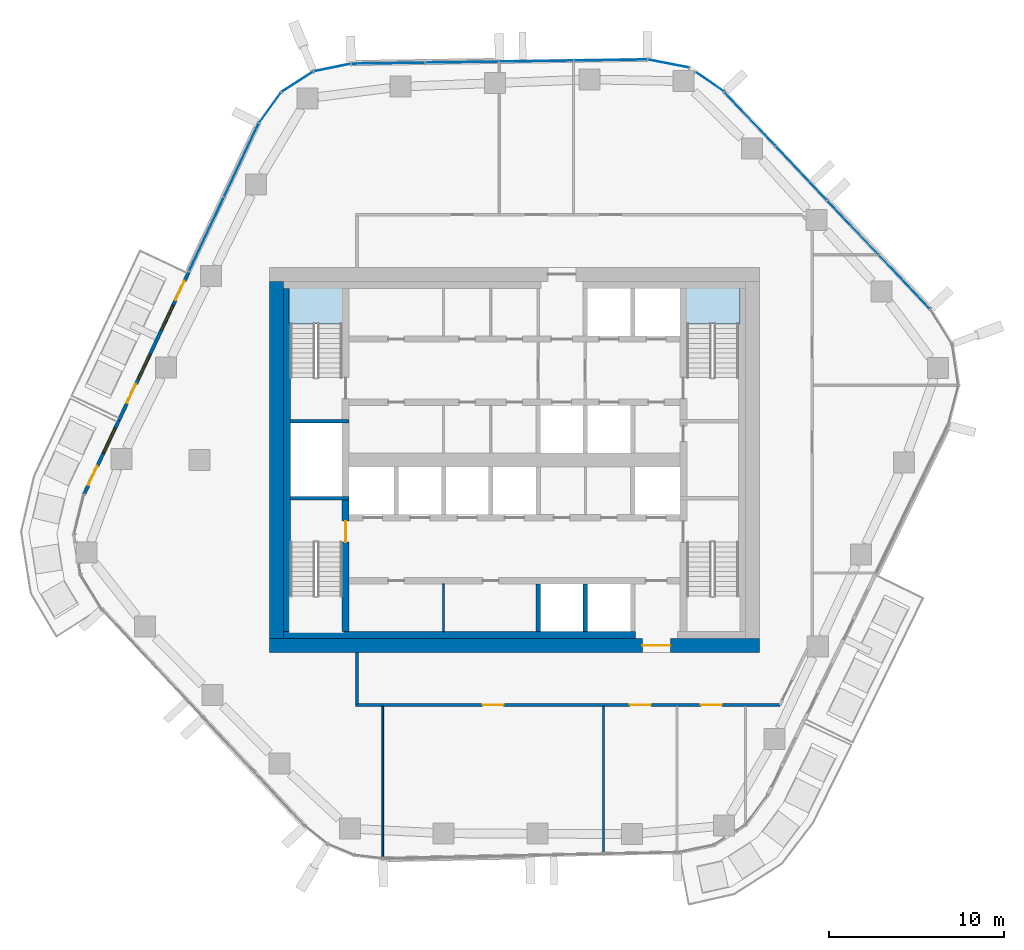
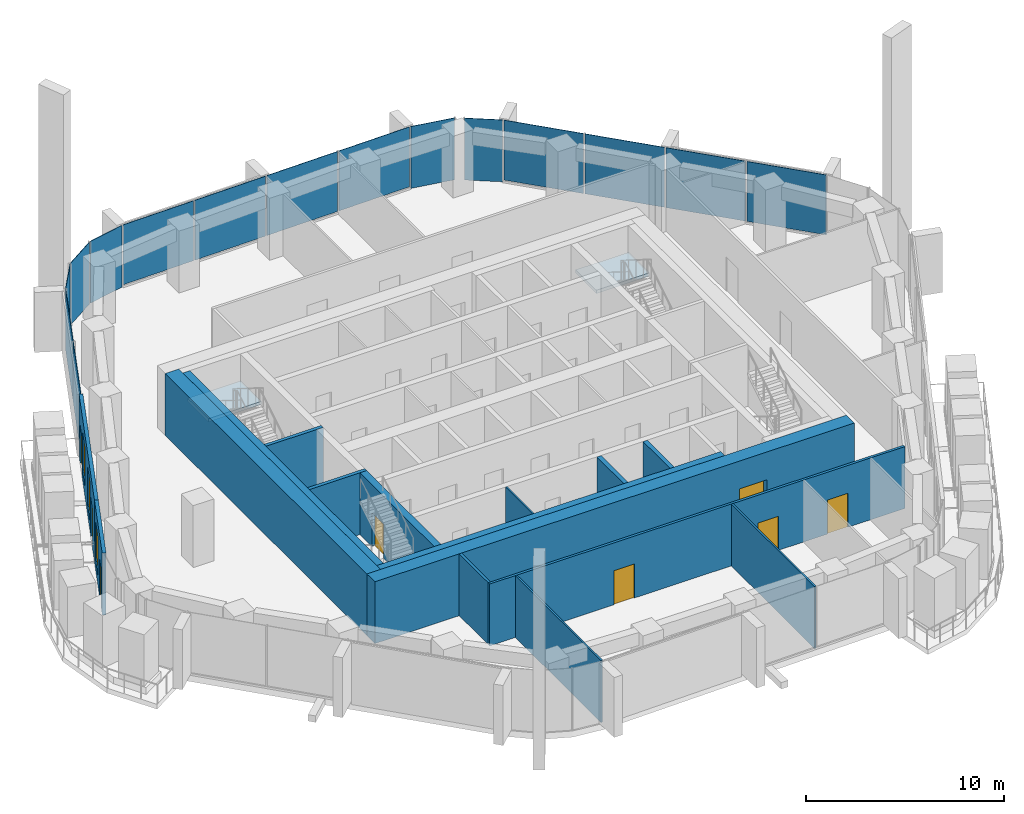
# One storey, part 11 of 18: 16 walls, 15 plates, 8 doors, 3 windows, 2 slabs, 11 openings, 8 elements without a shape of their own.
"""IFC4 building model written with IfcOpenShell, lengths in metres."""

from ifc_helpers import new_model, si_unit, direction, frame, frame_2d, origin, origin_2d, place, context, subcontext, project, spatial, polyline, rectangle, outline, extrude, material, layer, layer_set, type_object, element, fill, aggregate, save


model = new_model("IFC4")

# Units and contexts
model_context = context("Model", 3, precision=1e-05, world=origin(), true_north=direction((0.0, 1.0)))
body_context = subcontext(model_context, "Body", "Model", "MODEL_VIEW")
ifc_project = project(units=[si_unit("LENGTHUNIT", "METRE"), si_unit("AREAUNIT", "SQUARE_METRE"), si_unit("VOLUMEUNIT", "CUBIC_METRE"), si_unit("PLANEANGLEUNIT", "RADIAN"), si_unit("MASSUNIT", "GRAM", prefix="KILO")], contexts=[model_context])

# Site, building, storey
site_placement = place(None, origin())
site = spatial("IfcSite", under=ifc_project, at=site_placement, CompositionType="ELEMENT")
building_placement = place(site_placement, origin())
building = spatial("IfcBuilding", under=site, at=building_placement, Name="Dongbaek Canopy Tower", CompositionType="ELEMENT")
storey_placement = place(building_placement, frame((0.0, 0.0, 158.60009765625)))
storey = spatial("IfcBuildingStorey", under=building, at=storey_placement, Name="L34", CompositionType="ELEMENT", Elevation=158.60009765625)

# Curtain wall, plates
ifc_material_1 = material(Name="Aluminium 6063-T6 pale anodised", Category="aluminium")
ifc_layer_1 = layer(ifc_material_1, 0.199951171875)
ifc_layer_set_1 = layer_set([ifc_layer_1], Name="CW-1 unitised tower curtain wall")
curtain_wall_type = type_object("IfcCurtainWallType", Name="CW-1 unitised tower curtain wall", PredefinedType="NOTDEFINED", material=ifc_layer_set_1)
curtain_wall_1_placement = place(storey_placement, origin())
curtain_wall_1 = element("IfcCurtainWall", 1, at=curtain_wall_1_placement, inside=storey, type_object=curtain_wall_type, Name="CW-1 curtain wall F0.1", PredefinedType="NOTDEFINED")
ifc_material_2 = material(Name="Clear laminated glass", Category="glass")
ifc_layer_2 = layer(ifc_material_2, 0.028076171875)
ifc_layer_set_2 = layer_set([ifc_layer_2], Name="CW-1 glazed panel 28")
plate_type = type_object("IfcPlateType", Name="CW-1 glazed panel 28", PredefinedType="CURTAIN_PANEL", material=ifc_layer_set_2)
plate_1_placement = place(storey_placement, frame((22.27099609375, 10.17724609375, 0.1201171875), z_axis=(0.0, 0.0, 1.0), x_axis=(-0.688042693519, 0.725670208769, 0.0)))
plate_1 = element("IfcPlate", 2, at=plate_1_placement, type_object=plate_type, Name="CW-1 panel F0.1.1.1", PredefinedType="CURTAIN_PANEL", context=body_context, shape_type="SweptSolid", body=[
    extrude(rectangle(XDim=4.180419921875, YDim=0.028076171875, at=origin_2d()), origin(), (0.0, 0.0, 1.0), 3.699951171875),
])
plate_2_placement = place(storey_placement, frame((19.33349609375, 13.275390625, 0.1201171875), z_axis=(0.0, 0.0, 1.0), x_axis=(-0.688042693519, 0.725670208769, 0.0)))
plate_2 = element("IfcPlate", 3, at=plate_2_placement, type_object=plate_type, Name="CW-1 panel F0.1.2.1", PredefinedType="CURTAIN_PANEL", context=body_context, shape_type="SweptSolid", body=[
    extrude(rectangle(XDim=4.1904296875, YDim=0.028076171875, at=origin_2d()), origin(), (0.0, 0.0, 1.0), 3.699951171875),
])
plate_3_placement = place(storey_placement, frame((16.392333984375, 16.37744140625, 0.1201171875), z_axis=(0.0, 0.0, 1.0), x_axis=(-0.688042693519, 0.725670208769, 0.0)))
plate_3 = element("IfcPlate", 4, at=plate_3_placement, type_object=plate_type, Name="CW-1 panel F0.1.3.1", PredefinedType="CURTAIN_PANEL", context=body_context, shape_type="SweptSolid", body=[
    extrude(rectangle(XDim=4.1904296875, YDim=0.028076171875, at=origin_2d()), origin(), (0.0, 0.0, 1.0), 3.699951171875),
])
plate_4_placement = place(storey_placement, frame((13.454833984375, 19.475341796875, 0.1201171875), z_axis=(0.0, 0.0, 1.0), x_axis=(-0.688042693519, 0.725670208769, 0.0)))
plate_4 = element("IfcPlate", 5, at=plate_4_placement, type_object=plate_type, Name="CW-1 panel F0.1.4.1", PredefinedType="CURTAIN_PANEL", context=body_context, shape_type="SweptSolid", body=[
    extrude(rectangle(XDim=4.18017578125, YDim=0.028076171875, at=origin_2d()), origin(), (0.0, 0.0, 1.0), 3.699951171875),
])
aggregate(curtain_wall_1, [plate_1, plate_2, plate_3, plate_4])

# Curtain wall, plate
curtain_wall_2_placement = place(storey_placement, origin())
curtain_wall_2 = element("IfcCurtainWall", 6, at=curtain_wall_2_placement, inside=storey, type_object=curtain_wall_type, Name="CW-1 curtain wall K1.1a", PredefinedType="NOTDEFINED")
plate_5_placement = place(storey_placement, frame((11.1640625, 21.593017578125, 0.0), z_axis=(0.0, 0.0, 1.0), x_axis=(-0.822253738836, 0.569121067059, 0.0)))
plate_5 = element("IfcPlate", 7, at=plate_5_placement, type_object=plate_type, Name="CW-1 panel K1.1a.1.1", PredefinedType="CURTAIN_PANEL", context=body_context, shape_type="SweptSolid", body=[
    extrude(rectangle(XDim=1.920166015625, YDim=0.028076171875, at=origin_2d()), origin(), (0.0, 0.0, 1.0), 3.820068359375),
])
aggregate(curtain_wall_2, [plate_5])

curtain_wall_3_placement = place(storey_placement, origin())
curtain_wall_3 = element("IfcCurtainWall", 8, at=curtain_wall_3_placement, inside=storey, type_object=curtain_wall_type, Name="CW-1 curtain wall K1.1b", PredefinedType="NOTDEFINED")
plate_6_placement = place(storey_placement, frame((8.79736328125, 22.6376953125, 0.0), z_axis=(0.0, 0.0, 1.0), x_axis=(-0.981568479338, 0.1911107542, 0.0)))
plate_6 = element("IfcPlate", 9, at=plate_6_placement, type_object=plate_type, Name="CW-1 panel K1.1b.1.1", PredefinedType="CURTAIN_PANEL", context=body_context, shape_type="SweptSolid", body=[
    extrude(rectangle(XDim=2.345947265625, YDim=0.028076171875, at=origin_2d()), origin(), (0.0, 0.0, 1.0), 3.820068359375),
])
aggregate(curtain_wall_3, [plate_6])

# Curtain wall, plates
curtain_wall_4_placement = place(storey_placement, origin())
curtain_wall_4 = element("IfcCurtainWall", 10, at=curtain_wall_4_placement, inside=storey, type_object=curtain_wall_type, Name="CW-1 curtain wall F1.1", PredefinedType="NOTDEFINED")
plate_7_placement = place(storey_placement, frame((5.489990234375, 22.83984375, 0.1201171875), z_axis=(0.0, 0.0, 1.0), x_axis=(-0.999898073754, -0.014277328293, 0.0)))
plate_7 = element("IfcPlate", 11, at=plate_7_placement, type_object=plate_type, Name="CW-1 panel F1.1.1.1", PredefinedType="CURTAIN_PANEL", context=body_context, shape_type="SweptSolid", body=[
    extrude(rectangle(XDim=4.14599609375, YDim=0.028076171875, at=origin_2d()), origin(), (0.0, 0.0, 1.0), 3.699951171875),
])
plate_8_placement = place(storey_placement, frame((1.25537109375, 22.779296875, 0.1201171875), z_axis=(0.0, 0.0, 1.0), x_axis=(-0.999898073754, -0.014277328293, 0.0)))
plate_8 = element("IfcPlate", 12, at=plate_8_placement, type_object=plate_type, Name="CW-1 panel F1.1.2.1", PredefinedType="CURTAIN_PANEL", context=body_context, shape_type="SweptSolid", body=[
    extrude(rectangle(XDim=4.15625, YDim=0.028076171875, at=origin_2d()), origin(), (0.0, 0.0, 1.0), 3.699951171875),
])
plate_9_placement = place(storey_placement, frame((-2.984375, 22.71875, 0.1201171875), z_axis=(0.0, 0.0, 1.0), x_axis=(-0.999898073754, -0.014277328293, 0.0)))
plate_9 = element("IfcPlate", 13, at=plate_9_placement, type_object=plate_type, Name="CW-1 panel F1.1.3.1", PredefinedType="CURTAIN_PANEL", context=body_context, shape_type="SweptSolid", body=[
    extrude(rectangle(XDim=4.15625, YDim=0.028076171875, at=origin_2d()), origin(), (0.0, 0.0, 1.0), 3.699951171875),
])
plate_10_placement = place(storey_placement, frame((-7.219482421875, 22.658203125, 0.1201171875), z_axis=(0.0, 0.0, 1.0), x_axis=(-0.999898073754, -0.014277328293, 0.0)))
plate_10 = element("IfcPlate", 14, at=plate_10_placement, type_object=plate_type, Name="CW-1 panel F1.1.4.1", PredefinedType="CURTAIN_PANEL", context=body_context, shape_type="SweptSolid", body=[
    extrude(rectangle(XDim=4.14697265625, YDim=0.028076171875, at=origin_2d()), origin(), (0.0, 0.0, 1.0), 3.699951171875),
])
aggregate(curtain_wall_4, [plate_7, plate_8, plate_9, plate_10])

curtain_wall_5_placement = place(storey_placement, origin())
curtain_wall_5 = element("IfcCurtainWall", 15, at=curtain_wall_5_placement, inside=storey, type_object=curtain_wall_type, Name="CW-1 curtain wall K2.1", PredefinedType="NOTDEFINED")
plate_11_placement = place(storey_placement, frame((-10.40869140625, 22.41015625, 0.0), z_axis=(0.0, 0.0, 1.0), x_axis=(-0.980003955076, -0.198978008926, 0.0)))
plate_11 = element("IfcPlate", 16, at=plate_11_placement, type_object=plate_type, Name="CW-1 panel K2.1.1.1", PredefinedType="CURTAIN_PANEL", context=body_context, shape_type="SweptSolid", body=[
    extrude(rectangle(XDim=2.107421875, YDim=0.028076171875, at=origin_2d()), origin(), (0.0, 0.0, 1.0), 3.820068359375),
])
plate_12_placement = place(storey_placement, frame((-12.3994140625, 21.60107421875, 0.0), z_axis=(0.0, 0.0, 1.0), x_axis=(-0.840609245459, -0.541642037188, 0.0)))
plate_12 = element("IfcPlate", 17, at=plate_12_placement, type_object=plate_type, Name="CW-1 panel K2.1.2.1", PredefinedType="CURTAIN_PANEL", context=body_context, shape_type="SweptSolid", body=[
    extrude(rectangle(XDim=2.097900390625, YDim=0.028076171875, at=origin_2d()), origin(), (0.0, 0.0, 1.0), 3.820068359375),
])
plate_13_placement = place(storey_placement, frame((-13.958984375, 20.12255859375, 0.0), z_axis=(0.0, 0.0, 1.0), x_axis=(-0.586177562972, -0.810182611927, 0.0)))
plate_13 = element("IfcPlate", 18, at=plate_13_placement, type_object=plate_type, Name="CW-1 panel K2.1.3.1", PredefinedType="CURTAIN_PANEL", context=body_context, shape_type="SweptSolid", body=[
    extrude(rectangle(XDim=2.107421875, YDim=0.028076171875, at=origin_2d()), origin(), (0.0, 0.0, 1.0), 3.820068359375),
])
aggregate(curtain_wall_5, [plate_11, plate_12, plate_13])

curtain_wall_6_placement = place(storey_placement, origin())
curtain_wall_6 = element("IfcCurtainWall", 19, at=curtain_wall_6_placement, inside=storey, type_object=curtain_wall_type, Name="CW-1 curtain wall F2.1", PredefinedType="NOTDEFINED")
plate_14_placement = place(storey_placement, frame((-15.5986328125, 17.117431640625, 0.1201171875), z_axis=(0.0, 0.0, 1.0), x_axis=(-0.426206887126, -0.904625717834, 0.0)))
plate_14 = element("IfcPlate", 20, at=plate_14_placement, type_object=plate_type, Name="CW-1 panel F2.1.1.1", PredefinedType="CURTAIN_PANEL", context=body_context, shape_type="SweptSolid", body=[
    extrude(rectangle(XDim=4.596923828125, YDim=0.028076171875, at=origin_2d()), origin(), (0.0, 0.0, 1.0), 3.699951171875),
])
plate_15_placement = place(storey_placement, frame((-17.595703125, 12.878662109375, 0.1201171875), z_axis=(0.0, 0.0, 1.0), x_axis=(-0.426206887126, -0.904625717834, 0.0)))
plate_15 = element("IfcPlate", 21, at=plate_15_placement, type_object=plate_type, Name="CW-1 panel F2.1.2.1", PredefinedType="CURTAIN_PANEL", context=body_context, shape_type="SweptSolid", body=[
    extrude(rectangle(XDim=4.606201171875, YDim=0.028076171875, at=origin_2d()), origin(), (0.0, 0.0, 1.0), 3.699951171875),
])
aggregate(curtain_wall_6, [plate_14, plate_15])

# Stair, slab
ifc_material_3 = material(Name="Concrete C40/50", Category="concrete")
stair_type = type_object("IfcStairType", Name="Core exit stair", PredefinedType="HALF_TURN_STAIR", material=ifc_material_3)
stair_1_placement = place(storey_placement, origin())
stair_1 = element("IfcStair", 22, at=stair_1_placement, inside=storey, type_object=stair_type, Name="L34 exit stair A", PredefinedType="HALF_TURN_STAIR")
ifc_material_4 = material(Name="Concrete C40/50", Category="concrete")
ifc_layer_3 = layer(ifc_material_4, 0.199951171875)
ifc_layer_set_3 = layer_set([ifc_layer_3], Name="Core stair landing 200")
slab_type = type_object("IfcSlabType", Name="Core stair landing 200", PredefinedType="LANDING", material=ifc_layer_set_3)
slab_1_placement = place(storey_placement, frame((0.0, 0.0, 1.89990234375)))
slab_1 = element("IfcSlab", 23, at=slab_1_placement, type_object=slab_type, Name="ST-A landing 1", PredefinedType="LANDING", context=body_context, shape_type="SweptSolid", body=[
    extrude(outline(polyline([(12.875, 7.780029296875), (12.875, 9.875), (9.77490234375, 9.875), (9.77490234375, 7.780029296875), (12.875, 7.780029296875)])), origin(), (0.0, 0.0, 1.0), 0.199951171875),
])
aggregate(stair_1, [slab_1])

stair_2_placement = place(storey_placement, origin())
stair_2 = element("IfcStair", 24, at=stair_2_placement, inside=storey, type_object=stair_type, Name="L34 exit stair C", PredefinedType="HALF_TURN_STAIR")
slab_2_placement = place(storey_placement, frame((0.0, 0.0, 1.89990234375)))
slab_2 = element("IfcSlab", 25, at=slab_2_placement, type_object=slab_type, Name="ST-C landing 1", PredefinedType="LANDING", context=body_context, shape_type="SweptSolid", body=[
    extrude(outline(polyline([(-9.77490234375, 7.780029296875), (-9.77490234375, 9.875), (-12.875, 9.875), (-12.875, 7.780029296875), (-9.77490234375, 7.780029296875)])), origin(), (0.0, 0.0, 1.0), 0.199951171875),
])
aggregate(stair_2, [slab_2])

# Wall, opening, door
ifc_material_5 = material(Name="Concrete C70/85", Category="concrete")
ifc_layer_4 = layer(ifc_material_5, 0.800048828125)
ifc_layer_set_4 = layer_set([ifc_layer_4], Name="Core outer wall 800 Concrete C70/85")
wall_type_1 = type_object("IfcWallType", Name="Core outer wall 800 Concrete C70/85", PredefinedType="SHEAR", material=ifc_layer_set_4)
wall_1_placement = place(storey_placement, frame((14.0, -10.60009765625, 0.0), z_axis=(0.0, 0.0, 1.0), x_axis=(-1.0, 0.0, 0.0)))
wall_1 = element("IfcWall", 26, at=wall_1_placement, inside=storey, type_object=wall_type_1, Name="Core wall", PredefinedType="SHEAR", context=body_context, shape_type="SweptSolid", body=[
    extrude(rectangle(XDim=28.0, YDim=0.800048828125, at=frame_2d((14.0, 0.0))), origin(), (0.0, 0.0, 1.0), 3.81982421875),
])
opening_1_placement = place(wall_1_placement, frame((5.10009765625, 0.0, 0.0)))
opening_1 = element("IfcOpeningElement", 27, at=opening_1_placement, cuts=wall_1, Name="Opening L34-D023", PredefinedType="OPENING", context=body_context, shape_type="SweptSolid", body=[
    extrude(rectangle(XDim=1.60009765625, YDim=2.10009765625, at=frame_2d((0.800048828125, 1.050048828125))), frame((0.0, 0.409912109375, 0.0), z_axis=(0.0, -1.0, 0.0), x_axis=(1.0, 0.0, 0.0)), (0.0, 0.0, 1.0), 0.820068359375),
])
ifc_material_6 = material(Name="Steel", Category="steel")
door_type_1 = type_object("IfcDoorType", Name="Core exit door 1600 x 2100", OperationType="DOUBLE_DOOR_SINGLE_SWING", PredefinedType="DOOR", material=ifc_material_6)
door_1_placement = place(opening_1_placement, origin())
door_1 = element("IfcDoor", 28, at=door_1_placement, inside=storey, type_object=door_type_1, Name="Core exit door", OperationType="DOUBLE_DOOR_SINGLE_SWING", OverallHeight=2.10009765625, OverallWidth=1.60009765625, PredefinedType="DOOR", context=body_context, shape_type="SweptSolid", body=[
    extrude(rectangle(XDim=1.60009765625, YDim=2.10009765625, at=frame_2d((0.800048828125, 1.050048828125))), frame((0.0, 0.02490234375, 0.0), z_axis=(0.0, -1.0, 0.0), x_axis=(1.0, 0.0, 0.0)), (0.0, 0.0, 1.0), 0.050048828125),
])
fill(opening_1, door_1)

# Walls
wall_2_placement = place(storey_placement, frame((-13.60009765625, -10.199951171875, 0.0), z_axis=(0.0, 0.0, 1.0), x_axis=(0.0, 1.0, 0.0)))
element("IfcWall", 29, at=wall_2_placement, inside=storey, type_object=wall_type_1, Name="Core wall", PredefinedType="SHEAR", context=body_context, shape_type="SweptSolid", body=[
    extrude(rectangle(XDim=20.39990234375, YDim=0.800048828125, at=frame_2d((10.199951171875, 0.0))), origin(), (0.0, 0.0, 1.0), 3.81982421875),
])
ifc_material_7 = material(Name="Concrete C60/75", Category="concrete")
ifc_layer_5 = layer(ifc_material_7, 0.39990234375)
ifc_layer_set_5 = layer_set([ifc_layer_5], Name="Core wall lining 400 Concrete C60/75")
wall_type_2 = type_object("IfcWallType", Name="Core wall lining 400 Concrete C60/75", PredefinedType="SHEAR", material=ifc_layer_set_5)
wall_3_placement = place(storey_placement, frame((6.89990234375, -10.0, 0.0), z_axis=(0.0, 0.0, 1.0), x_axis=(-1.0, 0.0, 0.0)))
element("IfcWall", 30, at=wall_3_placement, inside=storey, type_object=wall_type_2, Name="Core wall lining", PredefinedType="SHEAR", context=body_context, shape_type="SweptSolid", body=[
    extrude(rectangle(XDim=20.099853515625, YDim=0.39990234375, at=frame_2d((10.0498046875, 0.0))), origin(), (0.0, 0.0, 1.0), 3.81982421875),
])
wall_4_placement = place(storey_placement, frame((-13.0, -9.800048828125, 0.0), z_axis=(0.0, 0.0, 1.0), x_axis=(0.0, 1.0, 0.0)))
element("IfcWall", 31, at=wall_4_placement, inside=storey, type_object=wall_type_2, Name="Core wall lining", PredefinedType="SHEAR", context=body_context, shape_type="SweptSolid", body=[
    extrude(rectangle(XDim=19.60009765625, YDim=0.39990234375, at=frame_2d((9.800048828125, 0.0))), origin(), (0.0, 0.0, 1.0), 3.81982421875),
])

# Wall, openings, doors
ifc_material_8 = material(Name="Gypsum board partition, steel stud, 2 x 15 mm fire board", Category="steel")
ifc_layer_6 = layer(ifc_material_8, 0.14990234375)
ifc_layer_set_6 = layer_set([ifc_layer_6], Name="Fire-rated partition 150 gypsum board")
wall_type_3 = type_object("IfcWallType", Name="Fire-rated partition 150 gypsum board", PredefinedType="PARTITIONING", material=ifc_layer_set_6)
wall_5_placement = place(storey_placement, frame((15.164794921875, -14.0, 0.0), z_axis=(0.0, 0.0, 1.0), x_axis=(-1.0, 0.0, 0.0)))
wall_5 = element("IfcWall", 32, at=wall_5_placement, inside=storey, type_object=wall_type_3, Name="Corridor partition", PredefinedType="PARTITIONING", context=body_context, shape_type="SweptSolid", body=[
    extrude(rectangle(XDim=24.23974609375, YDim=0.14990234375, at=frame_2d((12.119873046875, 0.0))), origin(), (0.0, 0.0, 1.0), 3.81982421875),
])
opening_2_placement = place(wall_5_placement, frame((15.7880859375, 0.0, 0.0)))
opening_2 = element("IfcOpeningElement", 33, at=opening_2_placement, cuts=wall_5, Name="Opening L34-D001", PredefinedType="OPENING", context=body_context, shape_type="SweptSolid", body=[
    extrude(rectangle(XDim=1.199951171875, YDim=2.10009765625, at=frame_2d((0.60009765625, 1.050048828125))), frame((0.0, 0.0849609375, 0.0), z_axis=(0.0, -1.0, 0.0), x_axis=(1.0, 0.0, 0.0)), (0.0, 0.0, 1.0), 0.169921875),
])
opening_3_placement = place(wall_5_placement, frame((7.37939453125, 0.0, 0.0)))
opening_3 = element("IfcOpeningElement", 34, at=opening_3_placement, cuts=wall_5, Name="Opening L34-D002", PredefinedType="OPENING", context=body_context, shape_type="SweptSolid", body=[
    extrude(rectangle(XDim=1.199951171875, YDim=2.10009765625, at=frame_2d((0.60009765625, 1.050048828125))), frame((0.0, 0.0849609375, 0.0), z_axis=(0.0, -1.0, 0.0), x_axis=(1.0, 0.0, 0.0)), (0.0, 0.0, 1.0), 0.169921875),
])
opening_4_placement = place(wall_5_placement, frame((3.323486328125, 0.0, 0.0)))
opening_4 = element("IfcOpeningElement", 35, at=opening_4_placement, cuts=wall_5, Name="Opening L34-D003", PredefinedType="OPENING", context=body_context, shape_type="SweptSolid", body=[
    extrude(rectangle(XDim=1.199951171875, YDim=2.10009765625, at=frame_2d((0.60009765625, 1.050048828125))), frame((0.0, 0.0849609375, 0.0), z_axis=(0.0, -1.0, 0.0), x_axis=(1.0, 0.0, 0.0)), (0.0, 0.0, 1.0), 0.169921875),
])
ifc_material_9 = material(Name="Timber veneered door leaf", Category="wood")
door_type_2 = type_object("IfcDoorType", Name="Room door 1200 x 2100", OperationType="SINGLE_SWING_LEFT", PredefinedType="DOOR", material=ifc_material_9)
door_2_placement = place(opening_2_placement, origin())
door_2 = element("IfcDoor", 36, at=door_2_placement, inside=storey, type_object=door_type_2, Name="Door L34-D001", OperationType="SINGLE_SWING_RIGHT", OverallHeight=2.10009765625, OverallWidth=1.199951171875, PredefinedType="DOOR", context=body_context, shape_type="SweptSolid", body=[
    extrude(rectangle(XDim=1.199951171875, YDim=2.10009765625, at=frame_2d((0.60009765625, 1.050048828125))), frame((0.0, 0.02490234375, 0.0), z_axis=(0.0, -1.0, 0.0), x_axis=(1.0, 0.0, 0.0)), (0.0, 0.0, 1.0), 0.050048828125),
])
fill(opening_2, door_2)
door_3_placement = place(opening_3_placement, origin())
door_3 = element("IfcDoor", 37, at=door_3_placement, inside=storey, type_object=door_type_2, Name="Door L34-D002", OperationType="SINGLE_SWING_LEFT", OverallHeight=2.10009765625, OverallWidth=1.199951171875, PredefinedType="DOOR", context=body_context, shape_type="SweptSolid", body=[
    extrude(rectangle(XDim=1.199951171875, YDim=2.10009765625, at=frame_2d((0.60009765625, 1.050048828125))), frame((0.0, 0.02490234375, 0.0), z_axis=(0.0, -1.0, 0.0), x_axis=(1.0, 0.0, 0.0)), (0.0, 0.0, 1.0), 0.050048828125),
])
fill(opening_3, door_3)
door_4_placement = place(opening_4_placement, origin())
door_4 = element("IfcDoor", 38, at=door_4_placement, inside=storey, type_object=door_type_2, Name="Door L34-D003", OperationType="SINGLE_SWING_RIGHT", OverallHeight=2.10009765625, OverallWidth=1.199951171875, PredefinedType="DOOR", context=body_context, shape_type="SweptSolid", body=[
    extrude(rectangle(XDim=1.199951171875, YDim=2.10009765625, at=frame_2d((0.60009765625, 1.050048828125))), frame((0.0, 0.02490234375, 0.0), z_axis=(0.0, -1.0, 0.0), x_axis=(1.0, 0.0, 0.0)), (0.0, 0.0, 1.0), 0.050048828125),
])
fill(opening_4, door_4)

# Walls
wall_6_placement = place(storey_placement, frame((-9.0, -13.925048828125, 0.0), z_axis=(0.0, 0.0, 1.0), x_axis=(0.0, 1.0, 0.0)))
element("IfcWall", 39, at=wall_6_placement, inside=storey, type_object=wall_type_3, Name="Corridor partition", PredefinedType="PARTITIONING", context=body_context, shape_type="SweptSolid", body=[
    extrude(rectangle(XDim=2.925048828125, YDim=0.14990234375, at=frame_2d((1.46240234375, 0.0))), origin(), (0.0, 0.0, 1.0), 3.81982421875),
])
ifc_material_10 = material(Name="Concrete C40/50", Category="concrete")
ifc_layer_7 = layer(ifc_material_10, 0.25)
ifc_layer_set_7 = layer_set([ifc_layer_7], Name="Lift shaft wall 250 Concrete C40/50")
wall_type_4 = type_object("IfcWallType", Name="Lift shaft wall 250 Concrete C40/50", PredefinedType="SOLIDWALL", material=ifc_layer_set_7)
for number, where, z_axis, x_axis, name in (
    (40, (4.050048828125, -9.800048828125, 0.0), (0.0, 0.0, 1.0), (0.0, 1.0, 0.0), "Lift shaft wall"),
    (41, (1.35009765625, -9.800048828125, 0.0), (0.0, 0.0, 1.0), (0.0, 1.0, 0.0), "Lift shaft wall"),
):
    element("IfcWall", number, at=place(storey_placement, frame(where, z_axis=z_axis, x_axis=x_axis)), inside=storey, type_object=wall_type_4, Name=name, PredefinedType="SOLIDWALL", context=body_context, shape_type="SweptSolid", body=[
        extrude(rectangle(XDim=2.72509765625, YDim=0.25, at=frame_2d((1.362548828125, 0.0))), origin(), (0.0, 0.0, 1.0), 3.81982421875),
    ])
ifc_material_11 = material(Name="Gypsum board partition, steel stud, 2 x 12.5 mm board", Category="steel")
ifc_layer_8 = layer(ifc_material_11, 0.10009765625)
ifc_layer_set_8 = layer_set([ifc_layer_8], Name="Partition 100 gypsum board")
wall_type_5 = type_object("IfcWallType", Name="Partition 100 gypsum board", PredefinedType="PARTITIONING", material=ifc_layer_set_8)
wall_7_placement = place(storey_placement, frame((5.0869140625, -22.484619140625, 0.0), z_axis=(0.0, 0.0, 1.0), x_axis=(0.0, 1.0, 0.0)))
element("IfcWall", 42, at=wall_7_placement, inside=storey, type_object=wall_type_5, Name="Partition", PredefinedType="PARTITIONING", context=body_context, shape_type="SweptSolid", body=[
    extrude(rectangle(XDim=8.40966796875, YDim=0.10009765625, at=frame_2d((4.204833984375, 0.0))), origin(), (0.0, 0.0, 1.0), 3.81982421875),
])
wall_8_placement = place(storey_placement, frame((-7.52587890625, -22.7431640625, 0.0), z_axis=(0.0, 0.0, 1.0), x_axis=(0.0, 1.0, 0.0)))
element("IfcWall", 43, at=wall_8_placement, inside=storey, type_object=wall_type_5, Name="Partition", PredefinedType="PARTITIONING", context=body_context, shape_type="SweptSolid", body=[
    extrude(rectangle(XDim=8.668212890625, YDim=0.10009765625, at=frame_2d((4.333984375, 0.0))), origin(), (0.0, 0.0, 1.0), 3.81982421875),
])
wall_9_placement = place(storey_placement, frame((-4.050048828125, -9.800048828125, 0.0), z_axis=(0.0, 0.0, 1.0), x_axis=(0.0, 1.0, 0.0)))
element("IfcWall", 44, at=wall_9_placement, inside=storey, type_object=wall_type_5, Name="Core partition", PredefinedType="PARTITIONING", context=body_context, shape_type="SweptSolid", body=[
    extrude(rectangle(XDim=2.72509765625, YDim=0.10009765625, at=frame_2d((1.362548828125, 0.0))), origin(), (0.0, 0.0, 1.0), 3.81982421875),
])
ifc_material_12 = material(Name="Concrete C60/75", Category="concrete")
ifc_layer_9 = layer(ifc_material_12, 0.199951171875)
ifc_layer_set_9 = layer_set([ifc_layer_9], Name="Riser wall 200 Concrete C60/75")
wall_type_6 = type_object("IfcWallType", Name="Riser wall 200 Concrete C60/75", PredefinedType="SHEAR", material=ifc_layer_set_9)
for number, where, z_axis, x_axis, name in (
    (45, (-9.449951171875, 2.199951171875, 0.0), (0.0, 0.0, 1.0), (-1.0, 0.0, 0.0), "Riser wall"),
    (46, (-9.449951171875, -2.199951171875, 0.0), (0.0, 0.0, 1.0), (-1.0, 0.0, 0.0), "Riser wall"),
):
    element("IfcWall", number, at=place(storey_placement, frame(where, z_axis=z_axis, x_axis=x_axis)), inside=storey, type_object=wall_type_6, Name=name, PredefinedType="SHEAR", context=body_context, shape_type="SweptSolid", body=[
        extrude(rectangle(XDim=3.35009765625, YDim=0.199951171875, at=frame_2d((1.675048828125, 0.0))), origin(), (0.0, 0.0, 1.0), 3.81982421875),
    ])

# Wall, opening, door
ifc_material_13 = material(Name="Concrete C60/75", Category="concrete")
ifc_layer_10 = layer(ifc_material_13, 0.39990234375)
ifc_layer_set_10 = layer_set([ifc_layer_10], Name="Stair wall 400 Concrete C60/75")
wall_type_7 = type_object("IfcWallType", Name="Stair wall 400 Concrete C60/75", PredefinedType="SHEAR", material=ifc_layer_set_10)
wall_10_placement = place(storey_placement, frame((-9.64990234375, -9.800048828125, 0.0), z_axis=(0.0, 0.0, 1.0), x_axis=(0.0, 1.0, 0.0)))
wall_10 = element("IfcWall", 47, at=wall_10_placement, inside=storey, type_object=wall_type_7, Name="Stair wall", PredefinedType="SHEAR", context=body_context, shape_type="SweptSolid", body=[
    extrude(rectangle(XDim=7.5, YDim=0.39990234375, at=frame_2d((3.75, 0.0))), origin(), (0.0, 0.0, 1.0), 3.81982421875),
])
opening_5_placement = place(wall_10_placement, frame((5.10009765625, 0.0, 0.0)))
opening_5 = element("IfcOpeningElement", 48, at=opening_5_placement, cuts=wall_10, Name="Opening L34-D038", PredefinedType="OPENING", context=body_context, shape_type="SweptSolid", body=[
    extrude(rectangle(XDim=1.199951171875, YDim=2.10009765625, at=frame_2d((0.60009765625, 1.050048828125))), frame((0.0, 0.2099609375, 0.0), z_axis=(0.0, -1.0, 0.0), x_axis=(1.0, 0.0, 0.0)), (0.0, 0.0, 1.0), 0.419921875),
])
ifc_material_14 = material(Name="Steel", Category="steel")
door_type_3 = type_object("IfcDoorType", Name="Stair door 1200 x 2100", OperationType="SINGLE_SWING_LEFT", PredefinedType="DOOR", material=ifc_material_14)
door_5_placement = place(opening_5_placement, origin())
door_5 = element("IfcDoor", 49, at=door_5_placement, inside=storey, type_object=door_type_3, Name="Stair D door", OperationType="SINGLE_SWING_LEFT", OverallHeight=2.10009765625, OverallWidth=1.199951171875, PredefinedType="DOOR", context=body_context, shape_type="SweptSolid", body=[
    extrude(rectangle(XDim=1.199951171875, YDim=2.10009765625, at=frame_2d((0.60009765625, 1.050048828125))), frame((0.0, 0.02490234375, 0.0), z_axis=(0.0, -1.0, 0.0), x_axis=(1.0, 0.0, 0.0)), (0.0, 0.0, 1.0), 0.050048828125),
])
fill(opening_5, door_5)

# Wall, openings, doors, windows
ifc_material_15 = material(Name="Aluminium window wall", Category="aluminium")
ifc_layer_11 = layer(ifc_material_15, 0.199951171875)
ifc_layer_set_11 = layer_set([ifc_layer_11], Name="Window wall 200")
wall_type_8 = type_object("IfcWallType", Name="Window wall 200", PredefinedType="SOLIDWALL", material=ifc_layer_set_11)
wall_11_placement = place(storey_placement, frame((-18.59521484375, 10.75732421875, 0.0), z_axis=(0.0, 0.0, 1.0), x_axis=(-0.426198071579, -0.904629871153, 0.0)))
wall_11 = element("IfcWall", 50, at=wall_11_placement, inside=storey, type_object=wall_type_8, Name="Window wall L34 1", PredefinedType="SOLIDWALL", context=body_context, shape_type="SweptSolid", body=[
    extrude(rectangle(XDim=9.380615234375, YDim=0.199951171875, at=frame_2d((4.6904296875, 0.0))), origin(), (0.0, 0.0, 1.0), 3.81982421875),
])
opening_6_placement = place(wall_11_placement, frame((2.10009765625, 0.0, 0.60009765625)))
opening_6 = element("IfcOpeningElement", 51, at=opening_6_placement, cuts=wall_11, Name="Opening W1", PredefinedType="OPENING", context=body_context, shape_type="SweptSolid", body=[
    extrude(rectangle(XDim=1.60009765625, YDim=2.39990234375, at=frame_2d((0.800048828125, 1.199951171875))), frame((0.0, 0.10986328125, 0.0), z_axis=(0.0, -1.0, 0.0), x_axis=(1.0, 0.0, 0.0)), (0.0, 0.0, 1.0), 0.219970703125),
])
opening_7_placement = place(wall_11_placement, frame((0.60009765625, 0.0, 0.0)))
opening_7 = element("IfcOpeningElement", 52, at=opening_7_placement, cuts=wall_11, Name="Opening L34-B01", PredefinedType="OPENING", context=body_context, shape_type="SweptSolid", body=[
    extrude(rectangle(XDim=1.199951171875, YDim=2.39990234375, at=frame_2d((0.60009765625, 1.199951171875))), frame((0.0, 0.10986328125, 0.0), z_axis=(0.0, -1.0, 0.0), x_axis=(1.0, 0.0, 0.0)), (0.0, 0.0, 1.0), 0.219970703125),
])
opening_8_placement = place(wall_11_placement, frame((5.190185546875, 0.0, 0.60009765625)))
opening_8 = element("IfcOpeningElement", 53, at=opening_8_placement, cuts=wall_11, Name="Opening W1", PredefinedType="OPENING", context=body_context, shape_type="SweptSolid", body=[
    extrude(rectangle(XDim=1.60009765625, YDim=2.39990234375, at=frame_2d((0.800048828125, 1.199951171875))), frame((0.0, 0.10986328125, 0.0), z_axis=(0.0, -1.0, 0.0), x_axis=(1.0, 0.0, 0.0)), (0.0, 0.0, 1.0), 0.219970703125),
])
opening_9_placement = place(wall_11_placement, frame((7.09033203125, 0.0, 0.0)))
opening_9 = element("IfcOpeningElement", 54, at=opening_9_placement, cuts=wall_11, Name="Opening L34-B02", PredefinedType="OPENING", context=body_context, shape_type="SweptSolid", body=[
    extrude(rectangle(XDim=1.199951171875, YDim=2.39990234375, at=frame_2d((0.60009765625, 1.199951171875))), frame((0.0, 0.10986328125, 0.0), z_axis=(0.0, -1.0, 0.0), x_axis=(1.0, 0.0, 0.0)), (0.0, 0.0, 1.0), 0.219970703125),
])
ifc_material_16 = material(Name="Clear glazing in aluminium frame", Category="aluminium")
door_type_4 = type_object("IfcDoorType", Name="Balcony door BD1 1200 x 2400", OperationType="SLIDING_TO_LEFT", PredefinedType="DOOR", material=ifc_material_16)
door_6_placement = place(opening_7_placement, origin())
door_6 = element("IfcDoor", 55, at=door_6_placement, inside=storey, type_object=door_type_4, Name="Balcony door L34-B01", OperationType="SLIDING_TO_LEFT", OverallHeight=2.39990234375, OverallWidth=1.199951171875, PredefinedType="DOOR", context=body_context, shape_type="SweptSolid", body=[
    extrude(rectangle(XDim=1.199951171875, YDim=2.39990234375, at=frame_2d((0.60009765625, 1.199951171875))), frame((0.0, 0.02490234375, 0.0), z_axis=(0.0, -1.0, 0.0), x_axis=(1.0, 0.0, 0.0)), (0.0, 0.0, 1.0), 0.050048828125),
])
fill(opening_7, door_6)
door_7_placement = place(opening_9_placement, origin())
door_7 = element("IfcDoor", 56, at=door_7_placement, inside=storey, type_object=door_type_4, Name="Balcony door L34-B02", OperationType="SLIDING_TO_LEFT", OverallHeight=2.39990234375, OverallWidth=1.199951171875, PredefinedType="DOOR", context=body_context, shape_type="SweptSolid", body=[
    extrude(rectangle(XDim=1.199951171875, YDim=2.39990234375, at=frame_2d((0.60009765625, 1.199951171875))), frame((0.0, 0.02490234375, 0.0), z_axis=(0.0, -1.0, 0.0), x_axis=(1.0, 0.0, 0.0)), (0.0, 0.0, 1.0), 0.050048828125),
])
fill(opening_9, door_7)
ifc_material_17 = material(Name="Clear glazing in aluminium frame", Category="aluminium")
window_type = type_object("IfcWindowType", Name="Window W1 1600 x 2400", PartitioningType="SINGLE_PANEL", PredefinedType="WINDOW", material=ifc_material_17)
window_1_placement = place(opening_6_placement, origin())
window_1 = element("IfcWindow", 57, at=window_1_placement, inside=storey, type_object=window_type, Name="Window L34 1.1", OverallHeight=2.39990234375, OverallWidth=1.60009765625, PartitioningType="SINGLE_PANEL", PredefinedType="WINDOW", context=body_context, shape_type="SweptSolid", body=[
    extrude(rectangle(XDim=1.60009765625, YDim=2.39990234375, at=frame_2d((0.800048828125, 1.199951171875))), frame((0.0, 0.030029296875, 0.0), z_axis=(0.0, -1.0, 0.0), x_axis=(1.0, 0.0, 0.0)), (0.0, 0.0, 1.0), 0.06005859375),
])
fill(opening_6, window_1)
window_2_placement = place(opening_8_placement, origin())
window_2 = element("IfcWindow", 58, at=window_2_placement, inside=storey, type_object=window_type, Name="Window L34 1.2", OverallHeight=2.39990234375, OverallWidth=1.60009765625, PartitioningType="SINGLE_PANEL", PredefinedType="WINDOW", context=body_context, shape_type="SweptSolid", body=[
    extrude(rectangle(XDim=1.60009765625, YDim=2.39990234375, at=frame_2d((0.800048828125, 1.199951171875))), frame((0.0, 0.030029296875, 0.0), z_axis=(0.0, -1.0, 0.0), x_axis=(1.0, 0.0, 0.0)), (0.0, 0.0, 1.0), 0.06005859375),
])
fill(opening_8, window_2)

# Wall, openings, door, window
wall_12_placement = place(storey_placement, frame((-22.59326171875, 2.271240234375, 0.0), z_axis=(0.0, 0.0, 1.0), x_axis=(-0.426226560006, -0.904616448859, 0.0)))
wall_12 = element("IfcWall", 59, at=wall_12_placement, inside=storey, type_object=wall_type_8, Name="Window wall L34 3", PredefinedType="SOLIDWALL", context=body_context, shape_type="SweptSolid", body=[
    extrude(rectangle(XDim=4.680419921875, YDim=0.199951171875, at=frame_2d((2.34033203125, 0.0))), origin(), (0.0, 0.0, 1.0), 3.81982421875),
])
opening_10_placement = place(wall_12_placement, frame((0.5, 0.0, 0.60009765625)))
opening_10 = element("IfcOpeningElement", 60, at=opening_10_placement, cuts=wall_12, Name="Opening W1", PredefinedType="OPENING", context=body_context, shape_type="SweptSolid", body=[
    extrude(rectangle(XDim=1.60009765625, YDim=2.39990234375, at=frame_2d((0.800048828125, 1.199951171875))), frame((0.0, 0.10986328125, 0.0), z_axis=(0.0, -1.0, 0.0), x_axis=(1.0, 0.0, 0.0)), (0.0, 0.0, 1.0), 0.219970703125),
])
opening_11_placement = place(wall_12_placement, frame((2.89990234375, 0.0, 0.0)))
opening_11 = element("IfcOpeningElement", 61, at=opening_11_placement, cuts=wall_12, Name="Opening L34-B03", PredefinedType="OPENING", context=body_context, shape_type="SweptSolid", body=[
    extrude(rectangle(XDim=1.199951171875, YDim=2.39990234375, at=frame_2d((0.60009765625, 1.199951171875))), frame((0.0, 0.10986328125, 0.0), z_axis=(0.0, -1.0, 0.0), x_axis=(1.0, 0.0, 0.0)), (0.0, 0.0, 1.0), 0.219970703125),
])
door_8_placement = place(opening_11_placement, origin())
door_8 = element("IfcDoor", 62, at=door_8_placement, inside=storey, type_object=door_type_4, Name="Balcony door L34-B03", OperationType="SLIDING_TO_LEFT", OverallHeight=2.39990234375, OverallWidth=1.199951171875, PredefinedType="DOOR", context=body_context, shape_type="SweptSolid", body=[
    extrude(rectangle(XDim=1.199951171875, YDim=2.39990234375, at=frame_2d((0.60009765625, 1.199951171875))), frame((0.0, 0.02490234375, 0.0), z_axis=(0.0, -1.0, 0.0), x_axis=(1.0, 0.0, 0.0)), (0.0, 0.0, 1.0), 0.050048828125),
])
fill(opening_11, door_8)
window_3_placement = place(opening_10_placement, origin())
window_3 = element("IfcWindow", 63, at=window_3_placement, inside=storey, type_object=window_type, Name="Window L34 3.1", OverallHeight=2.39990234375, OverallWidth=1.60009765625, PartitioningType="SINGLE_PANEL", PredefinedType="WINDOW", context=body_context, shape_type="SweptSolid", body=[
    extrude(rectangle(XDim=1.60009765625, YDim=2.39990234375, at=frame_2d((0.800048828125, 1.199951171875))), frame((0.0, 0.030029296875, 0.0), z_axis=(0.0, -1.0, 0.0), x_axis=(1.0, 0.0, 0.0)), (0.0, 0.0, 1.0), 0.06005859375),
])
fill(opening_10, window_3)

save(model, "model.ifc")
